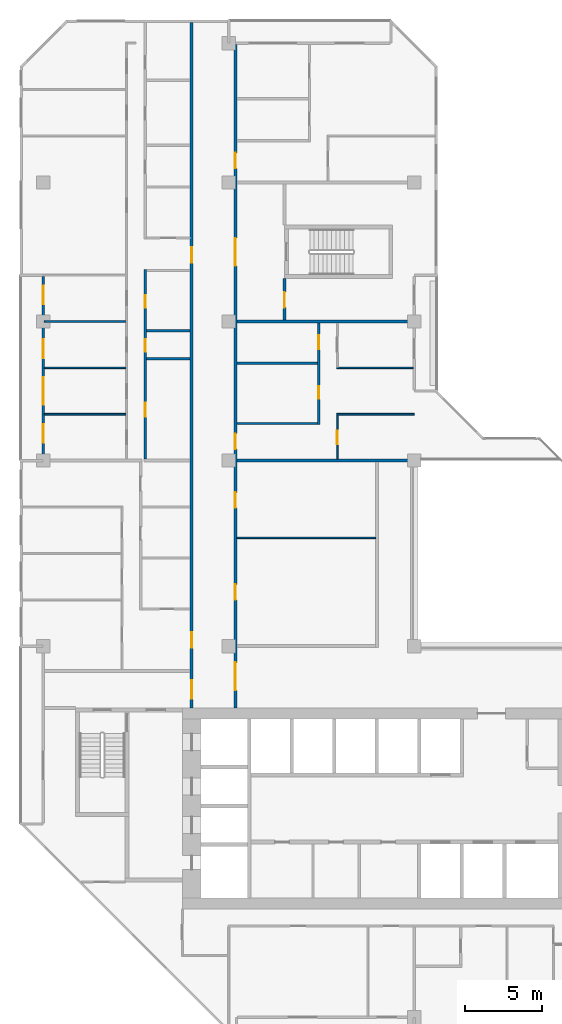
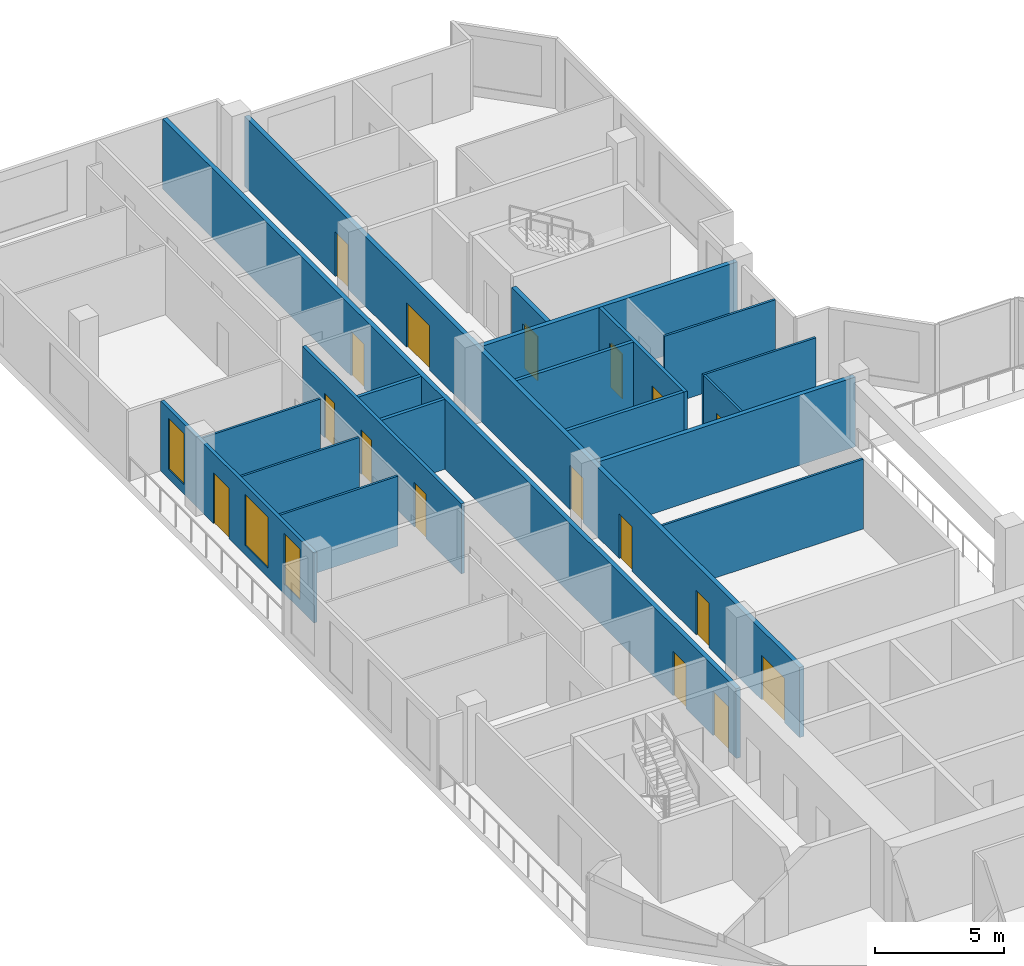
# One storey, part 9 of 15: 19 walls, 17 doors, 3 windows, 20 openings.
"""IFC4 building model written with IfcOpenShell, lengths in metres."""

from ifc_helpers import new_model, si_unit, direction, frame, frame_2d, origin, place, context, subcontext, project, spatial, rectangle, extrude, material, layer, layer_set, type_object, element, fill, save


model = new_model("IFC4")

# Units and contexts
model_context = context("Model", 3, precision=1e-05, world=origin(), true_north=direction((0.0, 1.0)))
body_context = subcontext(model_context, "Body", "Model", "MODEL_VIEW")
ifc_project = project(units=[si_unit("LENGTHUNIT", "METRE"), si_unit("AREAUNIT", "SQUARE_METRE"), si_unit("VOLUMEUNIT", "CUBIC_METRE"), si_unit("PLANEANGLEUNIT", "RADIAN"), si_unit("MASSUNIT", "GRAM", prefix="KILO")], contexts=[model_context])

# Site, building, storey
site_placement = place(None, origin())
site = spatial("IfcSite", under=ifc_project, at=site_placement, CompositionType="ELEMENT")
building_placement = place(site_placement, origin())
building = spatial("IfcBuilding", under=site, at=building_placement, Name="Chenar Terraces", CompositionType="ELEMENT")
storey_placement = place(building_placement, frame((0.0, 0.0, 252.89990234375)))
storey = spatial("IfcBuildingStorey", under=building, at=storey_placement, Name="L60", CompositionType="ELEMENT", Elevation=252.89990234375)

# Wall, openings, doors
ifc_material_1 = material(Name="Gypsum board on steel studs with fire boards", Category="steel")
ifc_layer_1 = layer(ifc_material_1, 0.199951171875)
ifc_layer_set_1 = layer_set([ifc_layer_1], Name="Gypsum board on steel studs with fire boards")
wall_type_1 = type_object("IfcWallType", Name="Corridor wall 200", PredefinedType="PARTITIONING", material=ifc_layer_set_1)
wall_1_placement = place(storey_placement, frame((9.60009765625, 20.0, 0.0), z_axis=(0.0, 0.0, 1.0), x_axis=(0.0, 1.0, 0.0)))
wall_1 = element("IfcWall", 1, at=wall_1_placement, inside=storey, type_object=wall_type_1, Name="Partition L60-033", PredefinedType="PARTITIONING", context=body_context, shape_type="SweptSolid", body=[
    extrude(rectangle(XDim=44.35009765625, YDim=0.199951171875, at=frame_2d((22.175048828125, 0.0))), origin(), (0.0, 0.0, 1.0), 3.300048828125),
])
opening_1_placement = place(wall_1_placement, frame((28.800048828125, 0.0, 0.0)))
opening_1 = element("IfcOpeningElement", 2, at=opening_1_placement, cuts=wall_1, Name="Opening DL60-33", PredefinedType="OPENING", context=body_context, shape_type="SweptSolid", body=[
    extrude(rectangle(XDim=1.0, YDim=2.10009765625, at=frame_2d((0.5, 1.050048828125))), frame((0.0, 0.10986328125, 0.0), z_axis=(0.0, -1.0, 0.0), x_axis=(1.0, 0.0, 0.0)), (0.0, 0.0, 1.0), 0.219970703125),
])
opening_2_placement = place(wall_1_placement, frame((0.60009765625, 0.0, 0.0)))
opening_2 = element("IfcOpeningElement", 3, at=opening_2_placement, cuts=wall_1, Name="Opening DL60-43", PredefinedType="OPENING", context=body_context, shape_type="SweptSolid", body=[
    extrude(rectangle(XDim=1.199951171875, YDim=2.10009765625, at=frame_2d((0.60009765625, 1.050048828125))), frame((0.0, 0.10986328125, 0.0), z_axis=(0.0, -1.0, 0.0), x_axis=(1.0, 0.0, 0.0)), (0.0, 0.0, 1.0), 0.219970703125),
])
opening_3_placement = place(wall_1_placement, frame((3.89990234375, 0.0, 0.0)))
opening_3 = element("IfcOpeningElement", 4, at=opening_3_placement, cuts=wall_1, Name="Opening DL60-65", PredefinedType="OPENING", context=body_context, shape_type="SweptSolid", body=[
    extrude(rectangle(XDim=1.0, YDim=2.10009765625, at=frame_2d((0.5, 1.050048828125))), frame((0.0, 0.10986328125, 0.0), z_axis=(0.0, -1.0, 0.0), x_axis=(1.0, 0.0, 0.0)), (0.0, 0.0, 1.0), 0.219970703125),
])
ifc_material_2 = material(Name="Steel-framed fire-resisting door leaf", Category="steel")
door_type_1 = type_object("IfcDoorType", Name="Fire door FD30S 1000 x 2100", OperationType="SINGLE_SWING_LEFT", PredefinedType="DOOR", material=ifc_material_2)
door_1_placement = place(opening_1_placement, origin())
door_1 = element("IfcDoor", 5, at=door_1_placement, inside=storey, type_object=door_type_1, Name="Door DL60-33", OperationType="SINGLE_SWING_LEFT", OverallHeight=2.10009765625, OverallWidth=1.0, PredefinedType="DOOR", context=body_context, shape_type="SweptSolid", body=[
    extrude(rectangle(XDim=1.0, YDim=2.10009765625, at=frame_2d((0.5, 1.050048828125))), frame((0.0, 0.02490234375, 0.0), z_axis=(0.0, -1.0, 0.0), x_axis=(1.0, 0.0, 0.0)), (0.0, 0.0, 1.0), 0.050048828125),
])
fill(opening_1, door_1)
door_2_placement = place(opening_3_placement, origin())
door_2 = element("IfcDoor", 6, at=door_2_placement, inside=storey, type_object=door_type_1, Name="Door DL60-65", OperationType="SINGLE_SWING_LEFT", OverallHeight=2.10009765625, OverallWidth=1.0, PredefinedType="DOOR", context=body_context, shape_type="SweptSolid", body=[
    extrude(rectangle(XDim=1.0, YDim=2.10009765625, at=frame_2d((0.5, 1.050048828125))), frame((0.0, 0.02490234375, 0.0), z_axis=(0.0, -1.0, 0.0), x_axis=(1.0, 0.0, 0.0)), (0.0, 0.0, 1.0), 0.050048828125),
])
fill(opening_3, door_2)
ifc_material_3 = material(Name="Steel-framed fire-resisting door leaf", Category="steel")
door_type_2 = type_object("IfcDoorType", Name="Fire door FD30S 1200 x 2100", OperationType="SINGLE_SWING_LEFT", PredefinedType="DOOR", material=ifc_material_3)
door_3_placement = place(opening_2_placement, origin())
door_3 = element("IfcDoor", 7, at=door_3_placement, inside=storey, type_object=door_type_2, Name="Door DL60-43", OperationType="SINGLE_SWING_RIGHT", OverallHeight=2.10009765625, OverallWidth=1.199951171875, PredefinedType="DOOR", context=body_context, shape_type="SweptSolid", body=[
    extrude(rectangle(XDim=1.199951171875, YDim=2.10009765625, at=frame_2d((0.60009765625, 1.050048828125))), frame((0.0, 0.02490234375, 0.0), z_axis=(0.0, -1.0, 0.0), x_axis=(1.0, 0.0, 0.0)), (0.0, 0.0, 1.0), 0.050048828125),
])
fill(opening_2, door_3)

wall_2_placement = place(storey_placement, frame((12.425048828125, 20.0, 0.0), z_axis=(0.0, 0.0, 1.0), x_axis=(0.0, 1.0, 0.0)))
wall_2 = element("IfcWall", 8, at=wall_2_placement, inside=storey, type_object=wall_type_1, Name="Partition L60-036", PredefinedType="PARTITIONING", context=body_context, shape_type="SweptSolid", body=[
    extrude(rectangle(XDim=42.926025390625, YDim=0.199951171875, at=frame_2d((21.462890625, 0.0))), origin(), (0.0, 0.0, 1.0), 3.300048828125),
])
opening_4_placement = place(wall_2_placement, frame((7.0, 0.0, 0.0)))
opening_4 = element("IfcOpeningElement", 9, at=opening_4_placement, cuts=wall_2, Name="Opening DL60-1", PredefinedType="OPENING", context=body_context, shape_type="SweptSolid", body=[
    extrude(rectangle(XDim=1.0, YDim=2.10009765625, at=frame_2d((0.5, 1.050048828125))), frame((0.0, 0.10986328125, 0.0), z_axis=(0.0, -1.0, 0.0), x_axis=(1.0, 0.0, 0.0)), (0.0, 0.0, 1.0), 0.219970703125),
])
opening_5_placement = place(wall_2_placement, frame((12.949951171875, 0.0, 0.0)))
opening_5 = element("IfcOpeningElement", 10, at=opening_5_placement, cuts=wall_2, Name="Opening DL60-2", PredefinedType="OPENING", context=body_context, shape_type="SweptSolid", body=[
    extrude(rectangle(XDim=1.0, YDim=2.10009765625, at=frame_2d((0.5, 1.050048828125))), frame((0.0, 0.10986328125, 0.0), z_axis=(0.0, -1.0, 0.0), x_axis=(1.0, 0.0, 0.0)), (0.0, 0.0, 1.0), 0.219970703125),
])
opening_6_placement = place(wall_2_placement, frame((16.75, 0.0, 0.0)))
opening_6 = element("IfcOpeningElement", 11, at=opening_6_placement, cuts=wall_2, Name="Opening DL60-21", PredefinedType="OPENING", context=body_context, shape_type="SweptSolid", body=[
    extrude(rectangle(XDim=1.0, YDim=2.10009765625, at=frame_2d((0.5, 1.050048828125))), frame((0.0, 0.10986328125, 0.0), z_axis=(0.0, -1.0, 0.0), x_axis=(1.0, 0.0, 0.0)), (0.0, 0.0, 1.0), 0.219970703125),
])
opening_7_placement = place(wall_2_placement, frame((34.89990234375, 0.0, 0.0)))
opening_7 = element("IfcOpeningElement", 12, at=opening_7_placement, cuts=wall_2, Name="Opening DL60-25", PredefinedType="OPENING", context=body_context, shape_type="SweptSolid", body=[
    extrude(rectangle(XDim=1.0, YDim=2.10009765625, at=frame_2d((0.5, 1.050048828125))), frame((0.0, 0.10986328125, 0.0), z_axis=(0.0, -1.0, 0.0), x_axis=(1.0, 0.0, 0.0)), (0.0, 0.0, 1.0), 0.219970703125),
])
opening_8_placement = place(wall_2_placement, frame((1.14990234375, 0.0, 0.0)))
opening_8 = element("IfcOpeningElement", 13, at=opening_8_placement, cuts=wall_2, Name="Opening DL60-42", PredefinedType="OPENING", context=body_context, shape_type="SweptSolid", body=[
    extrude(rectangle(XDim=1.800048828125, YDim=2.10009765625, at=frame_2d((0.89990234375, 1.050048828125))), frame((0.0, 0.10986328125, 0.0), z_axis=(0.0, -1.0, 0.0), x_axis=(1.0, 0.0, 0.0)), (0.0, 0.0, 1.0), 0.219970703125),
])
opening_9_placement = place(wall_2_placement, frame((28.60009765625, 0.0, 0.0)))
opening_9 = element("IfcOpeningElement", 14, at=opening_9_placement, cuts=wall_2, Name="Opening DL60-44", PredefinedType="OPENING", context=body_context, shape_type="SweptSolid", body=[
    extrude(rectangle(XDim=1.800048828125, YDim=2.10009765625, at=frame_2d((0.89990234375, 1.050048828125))), frame((0.0, 0.10986328125, 0.0), z_axis=(0.0, -1.0, 0.0), x_axis=(1.0, 0.0, 0.0)), (0.0, 0.0, 1.0), 0.219970703125),
])
ifc_material_4 = material(Name="Steel-framed fire-resisting door leaf", Category="steel")
door_type_3 = type_object("IfcDoorType", Name="Fire door FD60 1000 x 2100", OperationType="SINGLE_SWING_LEFT", PredefinedType="DOOR", material=ifc_material_4)
door_4_placement = place(opening_4_placement, frame((1.0, 0.0, 0.0), z_axis=(0.0, 0.0, 1.0), x_axis=(-1.0, 0.0, 0.0)))
door_4 = element("IfcDoor", 15, at=door_4_placement, inside=storey, type_object=door_type_3, Name="Door DL60-1", OperationType="SINGLE_SWING_LEFT", OverallHeight=2.10009765625, OverallWidth=1.0, PredefinedType="DOOR", context=body_context, shape_type="SweptSolid", body=[
    extrude(rectangle(XDim=1.0, YDim=2.10009765625, at=frame_2d((0.5, 1.050048828125))), frame((0.0, 0.02490234375, 0.0), z_axis=(0.0, -1.0, 0.0), x_axis=(1.0, 0.0, 0.0)), (0.0, 0.0, 1.0), 0.050048828125),
])
fill(opening_4, door_4)
door_5_placement = place(opening_5_placement, frame((1.0, 0.0, 0.0), z_axis=(0.0, 0.0, 1.0), x_axis=(-1.0, 0.0, 0.0)))
door_5 = element("IfcDoor", 16, at=door_5_placement, inside=storey, type_object=door_type_3, Name="Door DL60-2", OperationType="SINGLE_SWING_LEFT", OverallHeight=2.10009765625, OverallWidth=1.0, PredefinedType="DOOR", context=body_context, shape_type="SweptSolid", body=[
    extrude(rectangle(XDim=1.0, YDim=2.10009765625, at=frame_2d((0.5, 1.050048828125))), frame((0.0, 0.02490234375, 0.0), z_axis=(0.0, -1.0, 0.0), x_axis=(1.0, 0.0, 0.0)), (0.0, 0.0, 1.0), 0.050048828125),
])
fill(opening_5, door_5)
door_6_placement = place(opening_6_placement, frame((1.0, 0.0, 0.0), z_axis=(0.0, 0.0, 1.0), x_axis=(-1.0, 0.0, 0.0)))
door_6 = element("IfcDoor", 17, at=door_6_placement, inside=storey, type_object=door_type_3, Name="Door DL60-21", OperationType="SINGLE_SWING_LEFT", OverallHeight=2.10009765625, OverallWidth=1.0, PredefinedType="DOOR", context=body_context, shape_type="SweptSolid", body=[
    extrude(rectangle(XDim=1.0, YDim=2.10009765625, at=frame_2d((0.5, 1.050048828125))), frame((0.0, 0.02490234375, 0.0), z_axis=(0.0, -1.0, 0.0), x_axis=(1.0, 0.0, 0.0)), (0.0, 0.0, 1.0), 0.050048828125),
])
fill(opening_6, door_6)
door_7_placement = place(opening_7_placement, frame((1.0, 0.0, 0.0), z_axis=(0.0, 0.0, 1.0), x_axis=(-1.0, 0.0, 0.0)))
door_7 = element("IfcDoor", 18, at=door_7_placement, inside=storey, type_object=door_type_3, Name="Door DL60-25", OperationType="SINGLE_SWING_LEFT", OverallHeight=2.10009765625, OverallWidth=1.0, PredefinedType="DOOR", context=body_context, shape_type="SweptSolid", body=[
    extrude(rectangle(XDim=1.0, YDim=2.10009765625, at=frame_2d((0.5, 1.050048828125))), frame((0.0, 0.02490234375, 0.0), z_axis=(0.0, -1.0, 0.0), x_axis=(1.0, 0.0, 0.0)), (0.0, 0.0, 1.0), 0.050048828125),
])
fill(opening_7, door_7)
ifc_material_5 = material(Name="Steel-framed fire-resisting door leaf", Category="steel")
door_type_4 = type_object("IfcDoorType", Name="Fire double door FD60 1800 x 2100", OperationType="DOUBLE_DOOR_SINGLE_SWING", PredefinedType="DOOR", material=ifc_material_5)
door_8_placement = place(opening_8_placement, frame((1.800048828125, 0.0, 0.0), z_axis=(0.0, 0.0, 1.0), x_axis=(-1.0, 0.0, 0.0)))
door_8 = element("IfcDoor", 19, at=door_8_placement, inside=storey, type_object=door_type_4, Name="Door DL60-42", OperationType="DOUBLE_DOOR_SINGLE_SWING", OverallHeight=2.10009765625, OverallWidth=1.800048828125, PredefinedType="DOOR", context=body_context, shape_type="SweptSolid", body=[
    extrude(rectangle(XDim=1.800048828125, YDim=2.10009765625, at=frame_2d((0.89990234375, 1.050048828125))), frame((0.0, 0.02490234375, 0.0), z_axis=(0.0, -1.0, 0.0), x_axis=(1.0, 0.0, 0.0)), (0.0, 0.0, 1.0), 0.050048828125),
])
fill(opening_8, door_8)
door_9_placement = place(opening_9_placement, frame((1.800048828125, 0.0, 0.0), z_axis=(0.0, 0.0, 1.0), x_axis=(-1.0, 0.0, 0.0)))
door_9 = element("IfcDoor", 20, at=door_9_placement, inside=storey, type_object=door_type_4, Name="Door DL60-44", OperationType="DOUBLE_DOOR_SINGLE_SWING", OverallHeight=2.10009765625, OverallWidth=1.800048828125, PredefinedType="DOOR", context=body_context, shape_type="SweptSolid", body=[
    extrude(rectangle(XDim=1.800048828125, YDim=2.10009765625, at=frame_2d((0.89990234375, 1.050048828125))), frame((0.0, 0.02490234375, 0.0), z_axis=(0.0, -1.0, 0.0), x_axis=(1.0, 0.0, 0.0)), (0.0, 0.0, 1.0), 0.050048828125),
])
fill(opening_9, door_9)

# Wall, opening, door
wall_3_placement = place(storey_placement, frame((15.60009765625, 45.10009765625, 0.0), z_axis=(0.0, 0.0, 1.0), x_axis=(0.0, 1.0, 0.0)))
wall_3 = element("IfcWall", 21, at=wall_3_placement, inside=storey, type_object=wall_type_1, Name="Partition L60-046", PredefinedType="PARTITIONING", context=body_context, shape_type="SweptSolid", body=[
    extrude(rectangle(XDim=2.6748046875, YDim=0.199951171875, at=frame_2d((1.33740234375, 0.0))), origin(), (0.0, 0.0, 1.0), 3.300048828125),
])
opening_10_placement = place(wall_3_placement, frame((0.800048828125, 0.0, 0.0)))
opening_10 = element("IfcOpeningElement", 22, at=opening_10_placement, cuts=wall_3, Name="Opening DL60-46", PredefinedType="OPENING", context=body_context, shape_type="SweptSolid", body=[
    extrude(rectangle(XDim=1.0, YDim=2.10009765625, at=frame_2d((0.5, 1.050048828125))), frame((0.0, 0.10986328125, 0.0), z_axis=(0.0, -1.0, 0.0), x_axis=(1.0, 0.0, 0.0)), (0.0, 0.0, 1.0), 0.219970703125),
])
door_10_placement = place(opening_10_placement, frame((1.0, 0.0, 0.0), z_axis=(0.0, 0.0, 1.0), x_axis=(-1.0, 0.0, 0.0)))
door_10 = element("IfcDoor", 23, at=door_10_placement, inside=storey, type_object=door_type_3, Name="Door DL60-46", OperationType="SINGLE_SWING_RIGHT", OverallHeight=2.10009765625, OverallWidth=1.0, PredefinedType="DOOR", context=body_context, shape_type="SweptSolid", body=[
    extrude(rectangle(XDim=1.0, YDim=2.10009765625, at=frame_2d((0.5, 1.050048828125))), frame((0.0, 0.02490234375, 0.0), z_axis=(0.0, -1.0, 0.0), x_axis=(1.0, 0.0, 0.0)), (0.0, 0.0, 1.0), 0.050048828125),
])
fill(opening_10, door_10)

# Wall, openings, windows, door
ifc_material_6 = material(Name="Aluminium framed glazing", Category="aluminium")
ifc_layer_2 = layer(ifc_material_6, 0.14990234375)
ifc_layer_set_2 = layer_set([ifc_layer_2], Name="Aluminium framed glazing")
wall_type_2 = type_object("IfcWallType", Name="Glazed loggia back wall 150", PredefinedType="SOLIDWALL", material=ifc_layer_set_2)
wall_4_placement = place(storey_placement, frame((0.0, 47.925048828125, 0.0), z_axis=(0.0, 0.0, 1.0), x_axis=(0.0, -1.0, 0.0)))
wall_4 = element("IfcWall", 24, at=wall_4_placement, inside=storey, type_object=wall_type_2, Name="Glazed loggia back wall", PredefinedType="SOLIDWALL", context=body_context, shape_type="SweptSolid", body=[
    extrude(rectangle(XDim=11.85009765625, YDim=0.14990234375, at=frame_2d((5.925048828125, 0.0))), origin(), (0.0, 0.0, 1.0), 3.300048828125),
])
opening_11_placement = place(wall_4_placement, frame((0.60009765625, 0.0, 0.449951171875)))
opening_11 = element("IfcOpeningElement", 25, at=opening_11_placement, cuts=wall_4, Name="Opening W120x240", PredefinedType="OPENING", context=body_context, shape_type="SweptSolid", body=[
    extrude(rectangle(XDim=1.199951171875, YDim=2.39990234375, at=frame_2d((0.60009765625, 1.199951171875))), frame((0.0, 0.0849609375, 0.0), z_axis=(0.0, -1.0, 0.0), x_axis=(1.0, 0.0, 0.0)), (0.0, 0.0, 1.0), 0.169921875),
])
opening_12_placement = place(wall_4_placement, frame((4.08740234375, 0.0, 0.0)))
opening_12 = element("IfcOpeningElement", 26, at=opening_12_placement, cuts=wall_4, Name="Opening DL60-G3", PredefinedType="OPENING", context=body_context, shape_type="SweptSolid", body=[
    extrude(rectangle(XDim=1.199951171875, YDim=2.39990234375, at=frame_2d((0.60009765625, 1.199951171875))), frame((0.0, 0.0849609375, 0.0), z_axis=(0.0, -1.0, 0.0), x_axis=(1.0, 0.0, 0.0)), (0.0, 0.0, 1.0), 0.169921875),
])
opening_13_placement = place(wall_4_placement, frame((6.52490234375, 0.0, 0.449951171875)))
opening_13 = element("IfcOpeningElement", 27, at=opening_13_placement, cuts=wall_4, Name="Opening W180x240", PredefinedType="OPENING", context=body_context, shape_type="SweptSolid", body=[
    extrude(rectangle(XDim=1.800048828125, YDim=2.39990234375, at=frame_2d((0.89990234375, 1.199951171875))), frame((0.0, 0.0849609375, 0.0), z_axis=(0.0, -1.0, 0.0), x_axis=(1.0, 0.0, 0.0)), (0.0, 0.0, 1.0), 0.169921875),
])
opening_14_placement = place(wall_4_placement, frame((9.5625, 0.0, 0.449951171875)))
opening_14 = element("IfcOpeningElement", 28, at=opening_14_placement, cuts=wall_4, Name="Opening W120x240", PredefinedType="OPENING", context=body_context, shape_type="SweptSolid", body=[
    extrude(rectangle(XDim=1.199951171875, YDim=2.39990234375, at=frame_2d((0.60009765625, 1.199951171875))), frame((0.0, 0.0849609375, 0.0), z_axis=(0.0, -1.0, 0.0), x_axis=(1.0, 0.0, 0.0)), (0.0, 0.0, 1.0), 0.169921875),
])
ifc_material_7 = material(Name="Low emissivity double glazing, aluminium frame", Category="aluminium")
window_type_1 = type_object("IfcWindowType", Name="Fixed light 1200 x 2400", PartitioningType="SINGLE_PANEL", PredefinedType="WINDOW", material=ifc_material_7)
window_1_placement = place(opening_11_placement, origin())
window_1 = element("IfcWindow", 29, at=window_1_placement, inside=storey, type_object=window_type_1, Name="Window", OverallHeight=2.39990234375, OverallWidth=1.199951171875, PartitioningType="SINGLE_PANEL", PredefinedType="WINDOW", context=body_context, shape_type="SweptSolid", body=[
    extrude(rectangle(XDim=1.199951171875, YDim=2.39990234375, at=frame_2d((0.60009765625, 1.199951171875))), frame((0.0, 0.030029296875, 0.0), z_axis=(0.0, -1.0, 0.0), x_axis=(1.0, 0.0, 0.0)), (0.0, 0.0, 1.0), 0.06005859375),
])
fill(opening_11, window_1)
window_2_placement = place(opening_14_placement, origin())
window_2 = element("IfcWindow", 30, at=window_2_placement, inside=storey, type_object=window_type_1, Name="Window", OverallHeight=2.39990234375, OverallWidth=1.199951171875, PartitioningType="SINGLE_PANEL", PredefinedType="WINDOW", context=body_context, shape_type="SweptSolid", body=[
    extrude(rectangle(XDim=1.199951171875, YDim=2.39990234375, at=frame_2d((0.60009765625, 1.199951171875))), frame((0.0, 0.030029296875, 0.0), z_axis=(0.0, -1.0, 0.0), x_axis=(1.0, 0.0, 0.0)), (0.0, 0.0, 1.0), 0.06005859375),
])
fill(opening_14, window_2)
ifc_material_8 = material(Name="Low emissivity double glazing, aluminium frame", Category="aluminium")
window_type_2 = type_object("IfcWindowType", Name="Fixed light 1800 x 2400", PartitioningType="SINGLE_PANEL", PredefinedType="WINDOW", material=ifc_material_8)
window_3_placement = place(opening_13_placement, origin())
window_3 = element("IfcWindow", 31, at=window_3_placement, inside=storey, type_object=window_type_2, Name="Window", OverallHeight=2.39990234375, OverallWidth=1.800048828125, PartitioningType="SINGLE_PANEL", PredefinedType="WINDOW", context=body_context, shape_type="SweptSolid", body=[
    extrude(rectangle(XDim=1.800048828125, YDim=2.39990234375, at=frame_2d((0.89990234375, 1.199951171875))), frame((0.0, 0.030029296875, 0.0), z_axis=(0.0, -1.0, 0.0), x_axis=(1.0, 0.0, 0.0)), (0.0, 0.0, 1.0), 0.06005859375),
])
fill(opening_13, window_3)
ifc_material_9 = material(Name="Low emissivity double glazing, aluminium frame", Category="aluminium")
door_type_5 = type_object("IfcDoorType", Name="Loggia glazed double door 1200 x 2400", OperationType="DOUBLE_DOOR_SINGLE_SWING", PredefinedType="DOOR", material=ifc_material_9)
door_11_placement = place(opening_12_placement, frame((1.199951171875, 0.0, 0.0), z_axis=(0.0, 0.0, 1.0), x_axis=(-1.0, 0.0, 0.0)))
door_11 = element("IfcDoor", 32, at=door_11_placement, inside=storey, type_object=door_type_5, Name="Loggia glazed door", OperationType="DOUBLE_DOOR_SINGLE_SWING", OverallHeight=2.39990234375, OverallWidth=1.199951171875, PredefinedType="DOOR", context=body_context, shape_type="SweptSolid", body=[
    extrude(rectangle(XDim=1.199951171875, YDim=2.39990234375, at=frame_2d((0.60009765625, 1.199951171875))), frame((0.0, 0.02490234375, 0.0), z_axis=(0.0, -1.0, 0.0), x_axis=(1.0, 0.0, 0.0)), (0.0, 0.0, 1.0), 0.050048828125),
])
fill(opening_12, door_11)

# Walls
ifc_material_10 = material(Name="Gypsum board on steel studs", Category="steel")
ifc_layer_3 = layer(ifc_material_10, 0.10009765625)
ifc_layer_set_3 = layer_set([ifc_layer_3], Name="Gypsum board on steel studs")
wall_type_3 = type_object("IfcWallType", Name="Gypsum partition 100", PredefinedType="PARTITIONING", material=ifc_layer_set_3)
for number, where, z_axis, x_axis, name in (
    (33, (0.073974609375, 39.0, 0.0), (0.0, 0.0, 1.0), (1.0, 0.0, 0.0), "Partition L60-010"),
    (34, (0.073974609375, 42.0, 0.0), (0.0, 0.0, 1.0), (1.0, 0.0, 0.0), "Partition L60-011"),
    (35, (0.073974609375, 45.0, 0.0), (0.0, 0.0, 1.0), (1.0, 0.0, 0.0), "Partition L60-012"),
):
    element("IfcWall", number, at=place(storey_placement, frame(where, z_axis=z_axis, x_axis=x_axis)), inside=storey, type_object=wall_type_3, Name=name, PredefinedType="PARTITIONING", context=body_context, shape_type="SweptSolid", body=[
        extrude(rectangle(XDim=5.276123046875, YDim=0.10009765625, at=frame_2d((2.63818359375, 0.0))), origin(), (0.0, 0.0, 1.0), 3.300048828125),
    ])
wall_5_placement = place(storey_placement, frame((12.52490234375, 31.0, 0.0), z_axis=(0.0, 0.0, 1.0), x_axis=(1.0, 0.0, 0.0)))
element("IfcWall", 36, at=wall_5_placement, inside=storey, type_object=wall_type_3, Name="Partition L60-038", PredefinedType="PARTITIONING", context=body_context, shape_type="SweptSolid", body=[
    extrude(rectangle(XDim=8.97509765625, YDim=0.10009765625, at=frame_2d((4.487548828125, 0.0))), origin(), (0.0, 0.0, 1.0), 3.300048828125),
])
wall_6_placement = place(storey_placement, frame((18.97509765625, 39.0, 0.0), z_axis=(0.0, 0.0, 1.0), x_axis=(1.0, 0.0, 0.0)))
element("IfcWall", 37, at=wall_6_placement, inside=storey, type_object=wall_type_3, Name="Partition L60-052", PredefinedType="PARTITIONING", context=body_context, shape_type="SweptSolid", body=[
    extrude(rectangle(XDim=5.02490234375, YDim=0.10009765625, at=frame_2d((2.512451171875, 0.0))), origin(), (0.0, 0.0, 1.0), 3.300048828125),
])
wall_7_placement = place(storey_placement, frame((18.97509765625, 42.0, 0.0), z_axis=(0.0, 0.0, 1.0), x_axis=(1.0, 0.0, 0.0)))
element("IfcWall", 38, at=wall_7_placement, inside=storey, type_object=wall_type_3, Name="Partition L60-053", PredefinedType="PARTITIONING", context=body_context, shape_type="SweptSolid", body=[
    extrude(rectangle(XDim=4.950927734375, YDim=0.10009765625, at=frame_2d((2.4755859375, 0.0))), origin(), (0.0, 0.0, 1.0), 3.300048828125),
])

# Wall, opening, door
wall_8_placement = place(storey_placement, frame((19.02490234375, 36.10009765625, 0.0), z_axis=(0.0, 0.0, 1.0), x_axis=(0.0, 1.0, 0.0)))
wall_8 = element("IfcWall", 39, at=wall_8_placement, inside=storey, type_object=wall_type_3, Name="Partition L60-054", PredefinedType="PARTITIONING", context=body_context, shape_type="SweptSolid", body=[
    extrude(rectangle(XDim=2.849853515625, YDim=0.10009765625, at=frame_2d((1.4248046875, 0.0))), origin(), (0.0, 0.0, 1.0), 3.300048828125),
])
opening_15_placement = place(wall_8_placement, frame((0.949951171875, 0.0, 0.0)))
opening_15 = element("IfcOpeningElement", 40, at=opening_15_placement, cuts=wall_8, Name="Opening DL60-18", PredefinedType="OPENING", context=body_context, shape_type="SweptSolid", body=[
    extrude(rectangle(XDim=0.89990234375, YDim=2.10009765625, at=frame_2d((0.449951171875, 1.050048828125))), frame((0.0, 0.06005859375, 0.0), z_axis=(0.0, -1.0, 0.0), x_axis=(1.0, 0.0, 0.0)), (0.0, 0.0, 1.0), 0.1201171875),
])
ifc_material_11 = material(Name="Veneered timber door leaf", Category="wood")
door_type_6 = type_object("IfcDoorType", Name="Door 900 x 2100", OperationType="SINGLE_SWING_LEFT", PredefinedType="DOOR", material=ifc_material_11)
door_12_placement = place(opening_15_placement, frame((0.89990234375, 0.0, 0.0), z_axis=(0.0, 0.0, 1.0), x_axis=(-1.0, 0.0, 0.0)))
door_12 = element("IfcDoor", 41, at=door_12_placement, inside=storey, type_object=door_type_6, Name="Door DL60-18", OperationType="SINGLE_SWING_LEFT", OverallHeight=2.10009765625, OverallWidth=0.89990234375, PredefinedType="DOOR", context=body_context, shape_type="SweptSolid", body=[
    extrude(rectangle(XDim=0.89990234375, YDim=2.10009765625, at=frame_2d((0.449951171875, 1.050048828125))), frame((0.0, 0.02490234375, 0.0), z_axis=(0.0, -1.0, 0.0), x_axis=(1.0, 0.0, 0.0)), (0.0, 0.0, 1.0), 0.050048828125),
])
fill(opening_15, door_12)

# Walls
ifc_material_12 = material(Name="Twin gypsum board on steel studs with mineral wool", Category="steel")
ifc_layer_4 = layer(ifc_material_12, 0.199951171875)
ifc_layer_set_4 = layer_set([ifc_layer_4], Name="Twin gypsum board on steel studs with mineral wool")
wall_type_4 = type_object("IfcWallType", Name="Unit demising wall 200", PredefinedType="PARTITIONING", material=ifc_layer_set_4)
wall_9_placement = place(storey_placement, frame((12.52490234375, 36.0, 0.0), z_axis=(0.0, 0.0, 1.0), x_axis=(1.0, 0.0, 0.0)))
element("IfcWall", 42, at=wall_9_placement, inside=storey, type_object=wall_type_4, Name="Partition L60-039", PredefinedType="PARTITIONING", context=body_context, shape_type="SweptSolid", body=[
    extrude(rectangle(XDim=11.47509765625, YDim=0.199951171875, at=frame_2d((5.737548828125, 0.0))), origin(), (0.0, 0.0, 1.0), 3.300048828125),
])
wall_10_placement = place(storey_placement, frame((12.52490234375, 45.0, 0.0), z_axis=(0.0, 0.0, 1.0), x_axis=(1.0, 0.0, 0.0)))
element("IfcWall", 43, at=wall_10_placement, inside=storey, type_object=wall_type_4, Name="Partition L60-042", PredefinedType="PARTITIONING", context=body_context, shape_type="SweptSolid", body=[
    extrude(rectangle(XDim=11.401123046875, YDim=0.199951171875, at=frame_2d((5.70068359375, 0.0))), origin(), (0.0, 0.0, 1.0), 3.300048828125),
])

# Wall, openings, doors
ifc_material_13 = material(Name="Moisture-resistant gypsum board on steel studs", Category="steel")
ifc_layer_5 = layer(ifc_material_13, 0.14990234375)
ifc_layer_set_5 = layer_set([ifc_layer_5], Name="Moisture-resistant gypsum board on steel studs")
wall_type_5 = type_object("IfcWallType", Name="Wet-room partition 150", PredefinedType="PARTITIONING", material=ifc_layer_set_5)
wall_11_placement = place(storey_placement, frame((6.60009765625, 36.10009765625, 0.0), z_axis=(0.0, 0.0, 1.0), x_axis=(0.0, 1.0, 0.0)))
wall_11 = element("IfcWall", 44, at=wall_11_placement, inside=storey, type_object=wall_type_5, Name="Partition L60-022", PredefinedType="PARTITIONING", context=body_context, shape_type="SweptSolid", body=[
    extrude(rectangle(XDim=12.27490234375, YDim=0.14990234375, at=frame_2d((6.137451171875, 0.0))), origin(), (0.0, 0.0, 1.0), 3.300048828125),
])
opening_16_placement = place(wall_11_placement, frame((6.949951171875, 0.0, 0.0)))
opening_16 = element("IfcOpeningElement", 45, at=opening_16_placement, cuts=wall_11, Name="Opening DL60-26", PredefinedType="OPENING", context=body_context, shape_type="SweptSolid", body=[
    extrude(rectangle(XDim=0.800048828125, YDim=2.10009765625, at=frame_2d((0.39990234375, 1.050048828125))), frame((0.0, 0.0849609375, 0.0), z_axis=(0.0, -1.0, 0.0), x_axis=(1.0, 0.0, 0.0)), (0.0, 0.0, 1.0), 0.169921875),
])
opening_17_placement = place(wall_11_placement, frame((2.75, 0.0, 0.0)))
opening_17 = element("IfcOpeningElement", 46, at=opening_17_placement, cuts=wall_11, Name="Opening DL60-34", PredefinedType="OPENING", context=body_context, shape_type="SweptSolid", body=[
    extrude(rectangle(XDim=0.89990234375, YDim=2.10009765625, at=frame_2d((0.449951171875, 1.050048828125))), frame((0.0, 0.0849609375, 0.0), z_axis=(0.0, -1.0, 0.0), x_axis=(1.0, 0.0, 0.0)), (0.0, 0.0, 1.0), 0.169921875),
])
opening_18_placement = place(wall_11_placement, frame((9.800048828125, 0.0, 0.0)))
opening_18 = element("IfcOpeningElement", 47, at=opening_18_placement, cuts=wall_11, Name="Opening DL60-38", PredefinedType="OPENING", context=body_context, shape_type="SweptSolid", body=[
    extrude(rectangle(XDim=0.800048828125, YDim=2.10009765625, at=frame_2d((0.39990234375, 1.050048828125))), frame((0.0, 0.0849609375, 0.0), z_axis=(0.0, -1.0, 0.0), x_axis=(1.0, 0.0, 0.0)), (0.0, 0.0, 1.0), 0.169921875),
])
ifc_material_14 = material(Name="Veneered timber door leaf", Category="wood")
door_type_7 = type_object("IfcDoorType", Name="Door 800 x 2100", OperationType="SINGLE_SWING_LEFT", PredefinedType="DOOR", material=ifc_material_14)
door_13_placement = place(opening_16_placement, frame((0.800048828125, 0.0, 0.0), z_axis=(0.0, 0.0, 1.0), x_axis=(-1.0, 0.0, 0.0)))
door_13 = element("IfcDoor", 48, at=door_13_placement, inside=storey, type_object=door_type_7, Name="Door DL60-26", OperationType="SINGLE_SWING_RIGHT", OverallHeight=2.10009765625, OverallWidth=0.800048828125, PredefinedType="DOOR", context=body_context, shape_type="SweptSolid", body=[
    extrude(rectangle(XDim=0.800048828125, YDim=2.10009765625, at=frame_2d((0.39990234375, 1.050048828125))), frame((0.0, 0.02490234375, 0.0), z_axis=(0.0, -1.0, 0.0), x_axis=(1.0, 0.0, 0.0)), (0.0, 0.0, 1.0), 0.050048828125),
])
fill(opening_16, door_13)
door_14_placement = place(opening_18_placement, frame((0.800048828125, 0.0, 0.0), z_axis=(0.0, 0.0, 1.0), x_axis=(-1.0, 0.0, 0.0)))
door_14 = element("IfcDoor", 49, at=door_14_placement, inside=storey, type_object=door_type_7, Name="Door DL60-38", OperationType="SINGLE_SWING_RIGHT", OverallHeight=2.10009765625, OverallWidth=0.800048828125, PredefinedType="DOOR", context=body_context, shape_type="SweptSolid", body=[
    extrude(rectangle(XDim=0.800048828125, YDim=2.10009765625, at=frame_2d((0.39990234375, 1.050048828125))), frame((0.0, 0.02490234375, 0.0), z_axis=(0.0, -1.0, 0.0), x_axis=(1.0, 0.0, 0.0)), (0.0, 0.0, 1.0), 0.050048828125),
])
fill(opening_18, door_14)
door_15_placement = place(opening_17_placement, frame((0.89990234375, 0.0, 0.0), z_axis=(0.0, 0.0, 1.0), x_axis=(-1.0, 0.0, 0.0)))
door_15 = element("IfcDoor", 50, at=door_15_placement, inside=storey, type_object=door_type_6, Name="Door DL60-34", OperationType="SINGLE_SWING_LEFT", OverallHeight=2.10009765625, OverallWidth=0.89990234375, PredefinedType="DOOR", context=body_context, shape_type="SweptSolid", body=[
    extrude(rectangle(XDim=0.89990234375, YDim=2.10009765625, at=frame_2d((0.449951171875, 1.050048828125))), frame((0.0, 0.02490234375, 0.0), z_axis=(0.0, -1.0, 0.0), x_axis=(1.0, 0.0, 0.0)), (0.0, 0.0, 1.0), 0.050048828125),
])
fill(opening_17, door_15)

# Walls
for number, where, z_axis, x_axis, name in (
    (51, (6.675048828125, 42.60009765625, 0.0), (0.0, 0.0, 1.0), (1.0, 0.0, 0.0), "Partition L60-024"),
    (52, (6.675048828125, 44.39990234375, 0.0), (0.0, 0.0, 1.0), (1.0, 0.0, 0.0), "Partition L60-025"),
):
    element("IfcWall", number, at=place(storey_placement, frame(where, z_axis=z_axis, x_axis=x_axis)), inside=storey, type_object=wall_type_5, Name=name, PredefinedType="PARTITIONING", context=body_context, shape_type="SweptSolid", body=[
        extrude(rectangle(XDim=2.824951171875, YDim=0.14990234375, at=frame_2d((1.41259765625, 0.0))), origin(), (0.0, 0.0, 1.0), 3.300048828125),
    ])
for number, where, z_axis, x_axis, name in (
    (53, (12.52490234375, 38.39990234375, 0.0), (0.0, 0.0, 1.0), (1.0, 0.0, 0.0), "Partition L60-040"),
    (54, (12.52490234375, 42.300048828125, 0.0), (0.0, 0.0, 1.0), (1.0, 0.0, 0.0), "Partition L60-041"),
):
    element("IfcWall", number, at=place(storey_placement, frame(where, z_axis=z_axis, x_axis=x_axis)), inside=storey, type_object=wall_type_5, Name=name, PredefinedType="PARTITIONING", context=body_context, shape_type="SweptSolid", body=[
        extrude(rectangle(XDim=5.22509765625, YDim=0.14990234375, at=frame_2d((2.612548828125, 0.0))), origin(), (0.0, 0.0, 1.0), 3.300048828125),
    ])

# Wall, openings, doors
wall_12_placement = place(storey_placement, frame((17.824951171875, 38.324951171875, 0.0), z_axis=(0.0, 0.0, 1.0), x_axis=(0.0, 1.0, 0.0)))
wall_12 = element("IfcWall", 55, at=wall_12_placement, inside=storey, type_object=wall_type_5, Name="Partition L60-049", PredefinedType="PARTITIONING", context=body_context, shape_type="SweptSolid", body=[
    extrude(rectangle(XDim=6.574951171875, YDim=0.14990234375, at=frame_2d((3.28759765625, 0.0))), origin(), (0.0, 0.0, 1.0), 3.300048828125),
])
opening_19_placement = place(wall_12_placement, frame((1.675048828125, 0.0, 0.0)))
opening_19 = element("IfcOpeningElement", 56, at=opening_19_placement, cuts=wall_12, Name="Opening DL60-17", PredefinedType="OPENING", context=body_context, shape_type="SweptSolid", body=[
    extrude(rectangle(XDim=0.800048828125, YDim=2.10009765625, at=frame_2d((0.39990234375, 1.050048828125))), frame((0.0, 0.0849609375, 0.0), z_axis=(0.0, -1.0, 0.0), x_axis=(1.0, 0.0, 0.0)), (0.0, 0.0, 1.0), 0.169921875),
])
opening_20_placement = place(wall_12_placement, frame((4.875, 0.0, 0.0)))
opening_20 = element("IfcOpeningElement", 57, at=opening_20_placement, cuts=wall_12, Name="Opening DL60-20", PredefinedType="OPENING", context=body_context, shape_type="SweptSolid", body=[
    extrude(rectangle(XDim=0.89990234375, YDim=2.10009765625, at=frame_2d((0.449951171875, 1.050048828125))), frame((0.0, 0.0849609375, 0.0), z_axis=(0.0, -1.0, 0.0), x_axis=(1.0, 0.0, 0.0)), (0.0, 0.0, 1.0), 0.169921875),
])
door_16_placement = place(opening_19_placement, origin())
door_16 = element("IfcDoor", 58, at=door_16_placement, inside=storey, type_object=door_type_7, Name="Door DL60-17", OperationType="SINGLE_SWING_RIGHT", OverallHeight=2.10009765625, OverallWidth=0.800048828125, PredefinedType="DOOR", context=body_context, shape_type="SweptSolid", body=[
    extrude(rectangle(XDim=0.800048828125, YDim=2.10009765625, at=frame_2d((0.39990234375, 1.050048828125))), frame((0.0, 0.02490234375, 0.0), z_axis=(0.0, -1.0, 0.0), x_axis=(1.0, 0.0, 0.0)), (0.0, 0.0, 1.0), 0.050048828125),
])
fill(opening_19, door_16)
door_17_placement = place(opening_20_placement, origin())
door_17 = element("IfcDoor", 59, at=door_17_placement, inside=storey, type_object=door_type_6, Name="Door DL60-20", OperationType="SINGLE_SWING_LEFT", OverallHeight=2.10009765625, OverallWidth=0.89990234375, PredefinedType="DOOR", context=body_context, shape_type="SweptSolid", body=[
    extrude(rectangle(XDim=0.89990234375, YDim=2.10009765625, at=frame_2d((0.449951171875, 1.050048828125))), frame((0.0, 0.02490234375, 0.0), z_axis=(0.0, -1.0, 0.0), x_axis=(1.0, 0.0, 0.0)), (0.0, 0.0, 1.0), 0.050048828125),
])
fill(opening_20, door_17)

save(model, "model.ifc")
